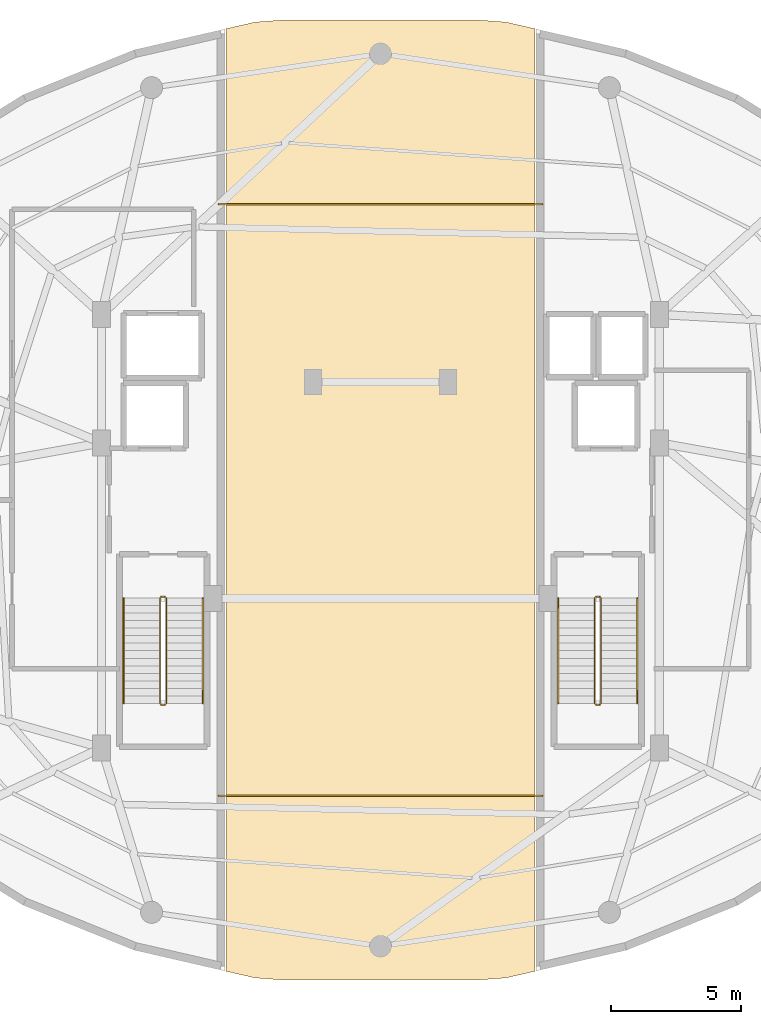
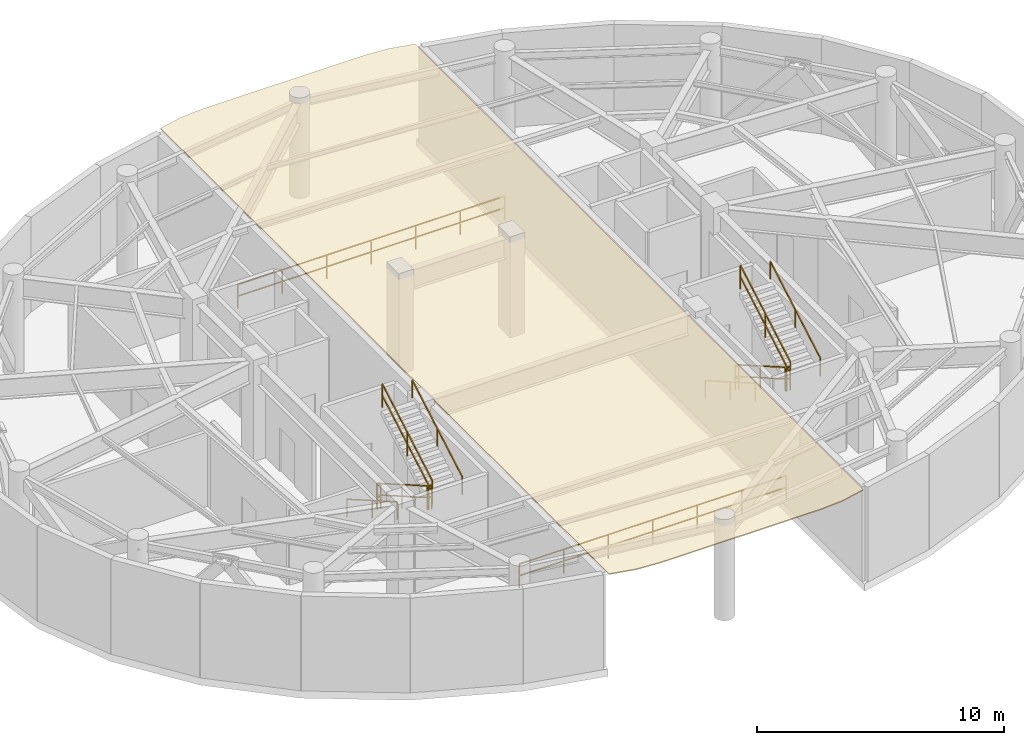
# One storey, part 7 of 7: 14 railings, 1 covering.
"""IFC4 building model written with IfcOpenShell, lengths in metres."""

from ifc_helpers import new_model, si_unit, direction, frame, origin, origin_2d, place, context, subcontext, project, spatial, polyline, rectangle, outline, extrude, material, layer, layer_set, type_object, element, save


model = new_model("IFC4")

# Units and contexts
model_context = context("Model", 3, precision=1e-05, world=origin(), true_north=direction((0.0, 1.0)))
body_context = subcontext(model_context, "Body", "Model", "MODEL_VIEW")
ifc_project = project(units=[si_unit("LENGTHUNIT", "METRE"), si_unit("AREAUNIT", "SQUARE_METRE"), si_unit("VOLUMEUNIT", "CUBIC_METRE"), si_unit("PLANEANGLEUNIT", "RADIAN"), si_unit("MASSUNIT", "GRAM", prefix="KILO")], contexts=[model_context])

# Site, building, storey
site_placement = place(None, origin())
site = spatial("IfcSite", under=ifc_project, at=site_placement, CompositionType="ELEMENT")
building_placement = place(site_placement, origin())
building = spatial("IfcBuilding", under=site, at=building_placement, Name="Vorneva Point Tower", CompositionType="ELEMENT")
storey_placement = place(building_placement, frame((0.0, 0.0, 280.39990234375)))
storey = spatial("IfcBuildingStorey", under=building, at=storey_placement, Name="L76", CompositionType="ELEMENT", Elevation=280.39990234375)

# Covering
ifc_material_1 = material(Name="Pale anodised aluminium", Category="aluminium")
ifc_layer = layer(ifc_material_1, 0.030029296875)
ifc_layer_set = layer_set([ifc_layer], Name="Pale anodised aluminium")
covering_type = type_object("IfcCoveringType", Name="COV-SOF-ALU", PredefinedType="CLADDING", material=ifc_layer_set)
covering_placement = place(storey_placement, frame((0.0, 0.0, 4.650146484375)))
element("IfcCovering", 1, at=covering_placement, inside=storey, type_object=covering_type, Name="Level 76 Wind Portal Aerodynamic Aluminium Soffit", PredefinedType="CLADDING", context=body_context, shape_type="SweptSolid", body=[
    extrude(outline(polyline([(42.838134765625, 44.419189453125), (43.949951171875, 44.163818359375), (43.949951171875, 7.836181640625), (42.838134765625, 7.580810546875), (41.753662109375, 7.5), (34.246337890625, 7.5), (33.161865234375, 7.580810546875), (32.050048828125, 7.836181640625), (32.050048828125, 44.163818359375), (33.161865234375, 44.419189453125), (34.246337890625, 44.5), (41.753662109375, 44.5), (42.838134765625, 44.419189453125)])), origin(), (0.0, 0.0, 1.0), 0.050048828125),
])

# Railings
railing_type_1 = type_object("IfcRailingType", Name="RL-BAL-1200", PredefinedType="BALUSTRADE", material=ifc_material_1)
for number, where, name in (
    (2, (31.75, 14.60009765625, 0.0), "Level 76 Wind Portal South Parapet Guardrail"),
    (3, (31.75, 37.39990234375, 0.0), "Level 76 Wind Portal North Parapet Guardrail"),
):
    element("IfcRailing", number, at=place(storey_placement, frame(where)), inside=storey, type_object=railing_type_1, Name=name, PredefinedType="BALUSTRADE", context=body_context, shape_type="SweptSolid", body=[
        extrude(rectangle(XDim=0.048095703125, YDim=0.048095703125, at=origin_2d()), frame((0.0, 0.0, 1.17578125), z_axis=(1.0, 0.0, 0.0), x_axis=(0.0, 1.0, 0.0)), (0.0, 0.0, 1.0), 12.5),
        extrude(rectangle(XDim=0.048095703125, YDim=0.048095703125, at=origin_2d()), frame((0.0, 0.0, 0.60009765625), z_axis=(1.0, 0.0, 0.0), x_axis=(0.0, 1.0, 0.0)), (0.0, 0.0, 1.0), 12.5),
        extrude(rectangle(XDim=0.0419921875, YDim=0.0419921875, at=origin_2d()), origin(), (0.0, 0.0, 1.0), 1.15185546875),
        extrude(rectangle(XDim=0.0419921875, YDim=0.0419921875, at=origin_2d()), frame((2.083251953125, 0.0, 0.0)), (0.0, 0.0, 1.0), 1.15185546875),
        extrude(rectangle(XDim=0.0419921875, YDim=0.0419921875, at=origin_2d()), frame((4.166748046875, 0.0, 0.0)), (0.0, 0.0, 1.0), 1.15185546875),
        extrude(rectangle(XDim=0.0419921875, YDim=0.0419921875, at=origin_2d()), frame((6.25, 0.0, 0.0)), (0.0, 0.0, 1.0), 1.15185546875),
        extrude(rectangle(XDim=0.0419921875, YDim=0.0419921875, at=origin_2d()), frame((8.333251953125, 0.0, 0.0)), (0.0, 0.0, 1.0), 1.15185546875),
        extrude(rectangle(XDim=0.0419921875, YDim=0.0419921875, at=origin_2d()), frame((10.416748046875, 0.0, 0.0)), (0.0, 0.0, 1.0), 1.15185546875),
        extrude(rectangle(XDim=0.0419921875, YDim=0.0419921875, at=origin_2d()), frame((12.5, 0.0, 0.0)), (0.0, 0.0, 1.0), 1.15185546875),
    ])
ifc_material_2 = material(Name="Brushed stainless steel S304", Category="steel")
railing_type_2 = type_object("IfcRailingType", Name="RL-HND-920", PredefinedType="HANDRAIL", material=ifc_material_2)
railing_1_placement = place(storey_placement, frame((28.10009765625, 22.219970703125, 0.166748046875)))
element("IfcRailing", 4, at=railing_1_placement, inside=storey, type_object=railing_type_2, Name="L76 ST1 stair handrail 1", PredefinedType="HANDRAIL", context=body_context, shape_type="SweptSolid", body=[
    extrude(rectangle(XDim=0.048095703125, YDim=0.048095703125, at=origin_2d()), frame((0.0, 0.0, 0.8759765625), z_axis=(0.0, -0.867024558463, 0.498265406207), x_axis=(1.0, 0.0, 0.0)), (0.0, 0.0, 1.0), 4.682861328125),
    extrude(rectangle(XDim=0.0419921875, YDim=0.0419921875, at=origin_2d()), origin(), (0.0, 0.0, 1.0), 0.851806640625),
    extrude(rectangle(XDim=0.0419921875, YDim=0.0419921875, at=origin_2d()), frame((0.0, -2.030029296875, 1.16650390625)), (0.0, 0.0, 1.0), 0.851806640625),
    extrude(rectangle(XDim=0.0419921875, YDim=0.0419921875, at=origin_2d()), frame((0.0, -4.06005859375, 2.333251953125)), (0.0, 0.0, 1.0), 0.851806640625),
])
railing_2_placement = place(storey_placement, frame((31.14990234375, 18.159912109375, 2.666748046875)))
element("IfcRailing", 5, at=railing_2_placement, inside=storey, type_object=railing_type_2, Name="L76 ST1 stair handrail 2", PredefinedType="HANDRAIL", context=body_context, shape_type="SweptSolid", body=[
    extrude(rectangle(XDim=0.048095703125, YDim=0.048095703125, at=origin_2d()), frame((0.0, 0.0, 0.8759765625), z_axis=(0.0, 0.867024558463, 0.498265406207), x_axis=(-1.0, 0.0, 0.0)), (0.0, 0.0, 1.0), 4.682861328125),
    extrude(rectangle(XDim=0.0419921875, YDim=0.0419921875, at=origin_2d()), origin(), (0.0, 0.0, 1.0), 0.851806640625),
    extrude(rectangle(XDim=0.0419921875, YDim=0.0419921875, at=origin_2d()), frame((0.0, 2.030029296875, 1.16650390625)), (0.0, 0.0, 1.0), 0.851806640625),
    extrude(rectangle(XDim=0.0419921875, YDim=0.0419921875, at=origin_2d()), frame((0.0, 4.06005859375, 2.333251953125)), (0.0, 0.0, 1.0), 0.851806640625),
])
railing_3_placement = place(storey_placement, frame((44.85009765625, 22.219970703125, 0.166748046875)))
element("IfcRailing", 6, at=railing_3_placement, inside=storey, type_object=railing_type_2, Name="L76 ST2 stair handrail 1", PredefinedType="HANDRAIL", context=body_context, shape_type="SweptSolid", body=[
    extrude(rectangle(XDim=0.048095703125, YDim=0.048095703125, at=origin_2d()), frame((0.0, 0.0, 0.8759765625), z_axis=(0.0, -0.867024558463, 0.498265406207), x_axis=(1.0, 0.0, 0.0)), (0.0, 0.0, 1.0), 4.682861328125),
    extrude(rectangle(XDim=0.0419921875, YDim=0.0419921875, at=origin_2d()), origin(), (0.0, 0.0, 1.0), 0.851806640625),
    extrude(rectangle(XDim=0.0419921875, YDim=0.0419921875, at=origin_2d()), frame((0.0, -2.030029296875, 1.16650390625)), (0.0, 0.0, 1.0), 0.851806640625),
    extrude(rectangle(XDim=0.0419921875, YDim=0.0419921875, at=origin_2d()), frame((0.0, -4.06005859375, 2.333251953125)), (0.0, 0.0, 1.0), 0.851806640625),
])
railing_4_placement = place(storey_placement, frame((47.89990234375, 18.159912109375, 2.666748046875)))
element("IfcRailing", 7, at=railing_4_placement, inside=storey, type_object=railing_type_2, Name="L76 ST2 stair handrail 2", PredefinedType="HANDRAIL", context=body_context, shape_type="SweptSolid", body=[
    extrude(rectangle(XDim=0.048095703125, YDim=0.048095703125, at=origin_2d()), frame((0.0, 0.0, 0.8759765625), z_axis=(0.0, 0.867024558463, 0.498265406207), x_axis=(-1.0, 0.0, 0.0)), (0.0, 0.0, 1.0), 4.682861328125),
    extrude(rectangle(XDim=0.0419921875, YDim=0.0419921875, at=origin_2d()), origin(), (0.0, 0.0, 1.0), 0.851806640625),
    extrude(rectangle(XDim=0.0419921875, YDim=0.0419921875, at=origin_2d()), frame((0.0, 2.030029296875, 1.16650390625)), (0.0, 0.0, 1.0), 0.851806640625),
    extrude(rectangle(XDim=0.0419921875, YDim=0.0419921875, at=origin_2d()), frame((0.0, 4.06005859375, 2.333251953125)), (0.0, 0.0, 1.0), 0.851806640625),
])
railing_type_3 = type_object("IfcRailingType", Name="RL-STG-1100", PredefinedType="GUARDRAIL", material=ifc_material_2)
railing_5_placement = place(storey_placement, frame((29.5, 22.219970703125, 0.166748046875)))
element("IfcRailing", 8, at=railing_5_placement, inside=storey, type_object=railing_type_3, Name="L76 ST1 stair guard 1", PredefinedType="GUARDRAIL", context=body_context, shape_type="SweptSolid", body=[
    extrude(rectangle(XDim=0.048095703125, YDim=0.048095703125, at=origin_2d()), frame((0.0, 0.0, 1.17578125), z_axis=(0.0, -0.867024558463, 0.498265406207), x_axis=(1.0, 0.0, 0.0)), (0.0, 0.0, 1.0), 4.682861328125),
    extrude(rectangle(XDim=0.048095703125, YDim=0.048095703125, at=origin_2d()), frame((0.0, 0.0, 0.60009765625), z_axis=(0.0, -0.867024558463, 0.498265406207), x_axis=(1.0, 0.0, 0.0)), (0.0, 0.0, 1.0), 4.682861328125),
    extrude(rectangle(XDim=0.0419921875, YDim=0.0419921875, at=origin_2d()), origin(), (0.0, 0.0, 1.0), 1.15185546875),
    extrude(rectangle(XDim=0.0419921875, YDim=0.0419921875, at=origin_2d()), frame((0.0, -2.030029296875, 1.16650390625)), (0.0, 0.0, 1.0), 1.15185546875),
    extrude(rectangle(XDim=0.0419921875, YDim=0.0419921875, at=origin_2d()), frame((0.0, -4.06005859375, 2.333251953125)), (0.0, 0.0, 1.0), 1.15185546875),
])
railing_6_placement = place(storey_placement, frame((29.550048828125, 18.110107421875, 2.5)))
element("IfcRailing", 9, at=railing_6_placement, inside=storey, type_object=railing_type_3, Name="L76 ST1 stair guard 2", PredefinedType="GUARDRAIL", context=body_context, shape_type="SweptSolid", body=[
    extrude(rectangle(XDim=0.048095703125, YDim=0.048095703125, at=origin_2d()), frame((0.0, 0.0, 1.17578125), z_axis=(1.0, 0.0, 0.0), x_axis=(0.0, 1.0, 0.0)), (0.0, 0.0, 1.0), 0.14990234375),
    extrude(rectangle(XDim=0.048095703125, YDim=0.048095703125, at=origin_2d()), frame((0.0, 0.0, 0.60009765625), z_axis=(1.0, 0.0, 0.0), x_axis=(0.0, 1.0, 0.0)), (0.0, 0.0, 1.0), 0.14990234375),
    extrude(rectangle(XDim=0.0419921875, YDim=0.0419921875, at=origin_2d()), origin(), (0.0, 0.0, 1.0), 1.15185546875),
    extrude(rectangle(XDim=0.0419921875, YDim=0.0419921875, at=origin_2d()), frame((0.14990234375, 0.0, 0.0)), (0.0, 0.0, 1.0), 1.15185546875),
])
railing_7_placement = place(storey_placement, frame((29.75, 18.159912109375, 2.666748046875)))
element("IfcRailing", 10, at=railing_7_placement, inside=storey, type_object=railing_type_3, Name="L76 ST1 stair guard 3", PredefinedType="GUARDRAIL", context=body_context, shape_type="SweptSolid", body=[
    extrude(rectangle(XDim=0.048095703125, YDim=0.048095703125, at=origin_2d()), frame((0.0, 0.0, 1.17578125), z_axis=(0.0, 0.867024558463, 0.498265406207), x_axis=(-1.0, 0.0, 0.0)), (0.0, 0.0, 1.0), 4.682861328125),
    extrude(rectangle(XDim=0.048095703125, YDim=0.048095703125, at=origin_2d()), frame((0.0, 0.0, 0.60009765625), z_axis=(0.0, 0.867024558463, 0.498265406207), x_axis=(-1.0, 0.0, 0.0)), (0.0, 0.0, 1.0), 4.682861328125),
    extrude(rectangle(XDim=0.0419921875, YDim=0.0419921875, at=origin_2d()), origin(), (0.0, 0.0, 1.0), 1.15185546875),
    extrude(rectangle(XDim=0.0419921875, YDim=0.0419921875, at=origin_2d()), frame((0.0, 2.030029296875, 1.16650390625)), (0.0, 0.0, 1.0), 1.15185546875),
    extrude(rectangle(XDim=0.0419921875, YDim=0.0419921875, at=origin_2d()), frame((0.0, 4.06005859375, 2.333251953125)), (0.0, 0.0, 1.0), 1.15185546875),
])
railing_8_placement = place(storey_placement, frame((29.550048828125, 22.27001953125, 0.0)))
element("IfcRailing", 11, at=railing_8_placement, inside=storey, type_object=railing_type_3, Name="L76 ST1 stair guard 4", PredefinedType="GUARDRAIL", context=body_context, shape_type="SweptSolid", body=[
    extrude(rectangle(XDim=0.048095703125, YDim=0.048095703125, at=origin_2d()), frame((0.0, 0.0, 1.17578125), z_axis=(1.0, 0.0, 0.0), x_axis=(0.0, 1.0, 0.0)), (0.0, 0.0, 1.0), 0.14990234375),
    extrude(rectangle(XDim=0.048095703125, YDim=0.048095703125, at=origin_2d()), frame((0.0, 0.0, 0.60009765625), z_axis=(1.0, 0.0, 0.0), x_axis=(0.0, 1.0, 0.0)), (0.0, 0.0, 1.0), 0.14990234375),
    extrude(rectangle(XDim=0.0419921875, YDim=0.0419921875, at=origin_2d()), origin(), (0.0, 0.0, 1.0), 1.15185546875),
    extrude(rectangle(XDim=0.0419921875, YDim=0.0419921875, at=origin_2d()), frame((0.14990234375, 0.0, 0.0)), (0.0, 0.0, 1.0), 1.15185546875),
])
railing_9_placement = place(storey_placement, frame((46.25, 22.219970703125, 0.166748046875)))
element("IfcRailing", 12, at=railing_9_placement, inside=storey, type_object=railing_type_3, Name="L76 ST2 stair guard 1", PredefinedType="GUARDRAIL", context=body_context, shape_type="SweptSolid", body=[
    extrude(rectangle(XDim=0.048095703125, YDim=0.048095703125, at=origin_2d()), frame((0.0, 0.0, 1.17578125), z_axis=(0.0, -0.867024558463, 0.498265406207), x_axis=(1.0, 0.0, 0.0)), (0.0, 0.0, 1.0), 4.682861328125),
    extrude(rectangle(XDim=0.048095703125, YDim=0.048095703125, at=origin_2d()), frame((0.0, 0.0, 0.60009765625), z_axis=(0.0, -0.867024558463, 0.498265406207), x_axis=(1.0, 0.0, 0.0)), (0.0, 0.0, 1.0), 4.682861328125),
    extrude(rectangle(XDim=0.0419921875, YDim=0.0419921875, at=origin_2d()), origin(), (0.0, 0.0, 1.0), 1.15185546875),
    extrude(rectangle(XDim=0.0419921875, YDim=0.0419921875, at=origin_2d()), frame((0.0, -2.030029296875, 1.16650390625)), (0.0, 0.0, 1.0), 1.15185546875),
    extrude(rectangle(XDim=0.0419921875, YDim=0.0419921875, at=origin_2d()), frame((0.0, -4.06005859375, 2.333251953125)), (0.0, 0.0, 1.0), 1.15185546875),
])
railing_10_placement = place(storey_placement, frame((46.300048828125, 18.110107421875, 2.5)))
element("IfcRailing", 13, at=railing_10_placement, inside=storey, type_object=railing_type_3, Name="L76 ST2 stair guard 2", PredefinedType="GUARDRAIL", context=body_context, shape_type="SweptSolid", body=[
    extrude(rectangle(XDim=0.048095703125, YDim=0.048095703125, at=origin_2d()), frame((0.0, 0.0, 1.17578125), z_axis=(1.0, 0.0, 0.0), x_axis=(0.0, 1.0, 0.0)), (0.0, 0.0, 1.0), 0.14990234375),
    extrude(rectangle(XDim=0.048095703125, YDim=0.048095703125, at=origin_2d()), frame((0.0, 0.0, 0.60009765625), z_axis=(1.0, 0.0, 0.0), x_axis=(0.0, 1.0, 0.0)), (0.0, 0.0, 1.0), 0.14990234375),
    extrude(rectangle(XDim=0.0419921875, YDim=0.0419921875, at=origin_2d()), origin(), (0.0, 0.0, 1.0), 1.15185546875),
    extrude(rectangle(XDim=0.0419921875, YDim=0.0419921875, at=origin_2d()), frame((0.14990234375, 0.0, 0.0)), (0.0, 0.0, 1.0), 1.15185546875),
])
railing_11_placement = place(storey_placement, frame((46.5, 18.159912109375, 2.666748046875)))
element("IfcRailing", 14, at=railing_11_placement, inside=storey, type_object=railing_type_3, Name="L76 ST2 stair guard 3", PredefinedType="GUARDRAIL", context=body_context, shape_type="SweptSolid", body=[
    extrude(rectangle(XDim=0.048095703125, YDim=0.048095703125, at=origin_2d()), frame((0.0, 0.0, 1.17578125), z_axis=(0.0, 0.867024558463, 0.498265406207), x_axis=(-1.0, 0.0, 0.0)), (0.0, 0.0, 1.0), 4.682861328125),
    extrude(rectangle(XDim=0.048095703125, YDim=0.048095703125, at=origin_2d()), frame((0.0, 0.0, 0.60009765625), z_axis=(0.0, 0.867024558463, 0.498265406207), x_axis=(-1.0, 0.0, 0.0)), (0.0, 0.0, 1.0), 4.682861328125),
    extrude(rectangle(XDim=0.0419921875, YDim=0.0419921875, at=origin_2d()), origin(), (0.0, 0.0, 1.0), 1.15185546875),
    extrude(rectangle(XDim=0.0419921875, YDim=0.0419921875, at=origin_2d()), frame((0.0, 2.030029296875, 1.16650390625)), (0.0, 0.0, 1.0), 1.15185546875),
    extrude(rectangle(XDim=0.0419921875, YDim=0.0419921875, at=origin_2d()), frame((0.0, 4.06005859375, 2.333251953125)), (0.0, 0.0, 1.0), 1.15185546875),
])
railing_12_placement = place(storey_placement, frame((46.300048828125, 22.27001953125, 0.0)))
element("IfcRailing", 15, at=railing_12_placement, inside=storey, type_object=railing_type_3, Name="L76 ST2 stair guard 4", PredefinedType="GUARDRAIL", context=body_context, shape_type="SweptSolid", body=[
    extrude(rectangle(XDim=0.048095703125, YDim=0.048095703125, at=origin_2d()), frame((0.0, 0.0, 1.17578125), z_axis=(1.0, 0.0, 0.0), x_axis=(0.0, 1.0, 0.0)), (0.0, 0.0, 1.0), 0.14990234375),
    extrude(rectangle(XDim=0.048095703125, YDim=0.048095703125, at=origin_2d()), frame((0.0, 0.0, 0.60009765625), z_axis=(1.0, 0.0, 0.0), x_axis=(0.0, 1.0, 0.0)), (0.0, 0.0, 1.0), 0.14990234375),
    extrude(rectangle(XDim=0.0419921875, YDim=0.0419921875, at=origin_2d()), origin(), (0.0, 0.0, 1.0), 1.15185546875),
    extrude(rectangle(XDim=0.0419921875, YDim=0.0419921875, at=origin_2d()), frame((0.14990234375, 0.0, 0.0)), (0.0, 0.0, 1.0), 1.15185546875),
])

save(model, "model.ifc")
